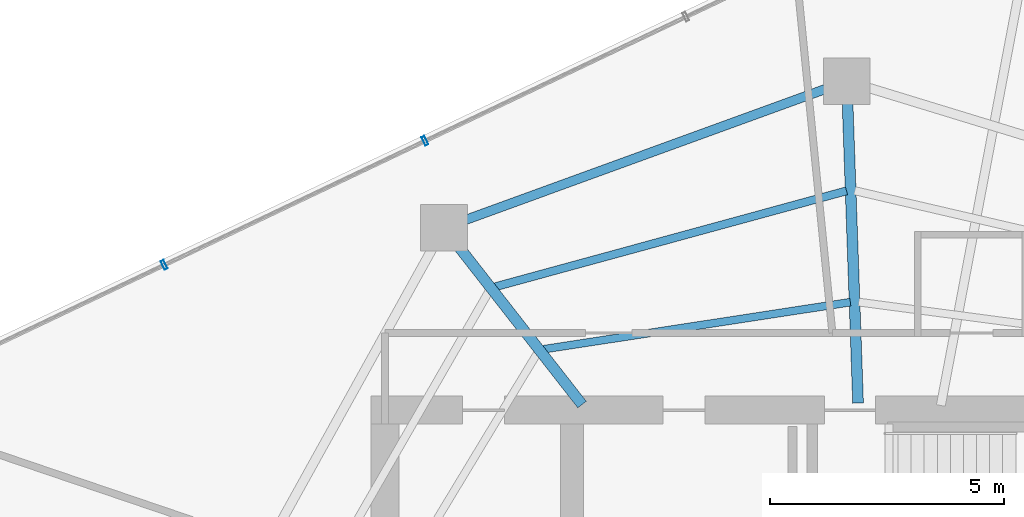
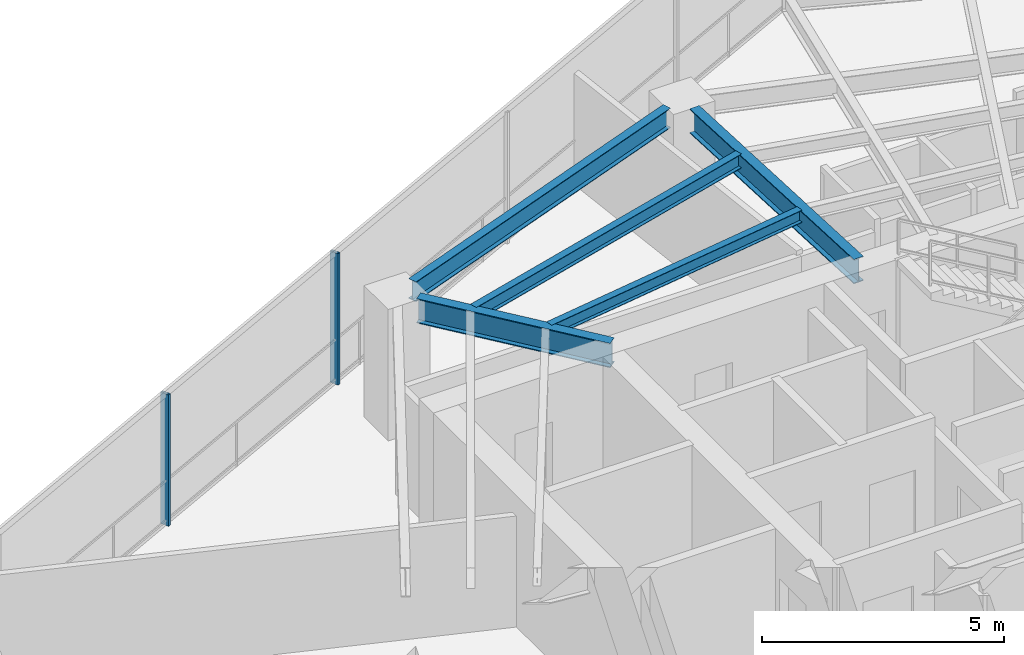
# One storey, part 12 of 21: 5 beams, 2 members, 1 element without a shape of its own.
"""IFC4 building model written with IfcOpenShell, lengths in metres."""

from ifc_helpers import new_model, si_unit, direction, frame, origin, origin_2d, place, context, subcontext, project, spatial, hollow_rectangle, i_section, extrude, material, layer, layer_set, material_profile, profile_set, type_object, element, aggregate, save


model = new_model("IFC4")

# Units and contexts
model_context = context("Model", 3, precision=1e-05, world=origin(), true_north=direction((0.0, 1.0)))
body_context = subcontext(model_context, "Body", "Model", "MODEL_VIEW")
ifc_project = project(units=[si_unit("LENGTHUNIT", "METRE"), si_unit("AREAUNIT", "SQUARE_METRE"), si_unit("VOLUMEUNIT", "CUBIC_METRE"), si_unit("PLANEANGLEUNIT", "RADIAN"), si_unit("MASSUNIT", "GRAM", prefix="KILO")], contexts=[model_context])

# Site, building, storey
site_placement = place(None, origin())
site = spatial("IfcSite", under=ifc_project, at=site_placement, CompositionType="ELEMENT")
building_placement = place(site_placement, origin())
building = spatial("IfcBuilding", under=site, at=building_placement, Name="Qarnah Convention Tower", CompositionType="ELEMENT")
storey_placement = place(building_placement, frame((0.0, 0.0, 161.699951171875)))
storey = spatial("IfcBuildingStorey", under=building, at=storey_placement, Name="L43", CompositionType="ELEMENT", Elevation=161.699951171875)

# Beams
ifc_material_1 = material(Name="Structural steel S355JR", Category="steel")
ifc_material_profile_1 = material_profile(ifc_material_1, i_section(OverallWidth=0.166015625, OverallDepth=0.31201171875, WebThickness=0.007080078125, FlangeThickness=0.010986328125, at=origin_2d()), Name="W310X45")
ifc_profile_set_1 = profile_set([ifc_material_profile_1], Name="Structural steel S355JR")
beam_type_1 = type_object("IfcBeamType", Name="BM-JST-W310", PredefinedType="JOIST", material=ifc_profile_set_1)
beam_1_placement = place(storey_placement, frame((36.758056640625, 36.510009765625, 3.1640625), z_axis=(-0.988429806813, -0.151678993285, 0.0), x_axis=(0.151678993285, -0.988429806813, 0.0)))
element("IfcBeam", 1, at=beam_1_placement, inside=storey, type_object=beam_type_1, Name="L43 joist BM-L43-IJST-03", PredefinedType="JOIST", context=body_context, shape_type="SweptSolid", body=[
    extrude(i_section(OverallWidth=0.166015625, OverallDepth=0.31201171875, WebThickness=0.007080078125, FlangeThickness=0.010986328125, at=origin_2d()), origin(), (0.0, 0.0, 1.0), 6.64599609375),
])
ifc_material_profile_2 = material_profile(ifc_material_1, i_section(OverallWidth=0.172119140625, OverallDepth=0.35595703125, WebThickness=0.007080078125, FlangeThickness=0.011962890625, at=origin_2d()), Name="W360X51")
ifc_profile_set_2 = profile_set([ifc_material_profile_2], Name="Structural steel S355JR")
beam_type_2 = type_object("IfcBeamType", Name="BM-JST-W360", PredefinedType="JOIST", material=ifc_profile_set_2)
beam_2_placement = place(storey_placement, frame((36.676025390625, 38.89306640625, 3.14208984375), z_axis=(-0.964679279523, -0.263427196127, 0.0), x_axis=(0.263427196127, -0.964679279523, 0.0)))
element("IfcBeam", 2, at=beam_2_placement, inside=storey, type_object=beam_type_2, Name="L43 joist BM-L43-SJST-03", PredefinedType="JOIST", context=body_context, shape_type="SweptSolid", body=[
    extrude(i_section(OverallWidth=0.172119140625, OverallDepth=0.35595703125, WebThickness=0.007080078125, FlangeThickness=0.011962890625, at=origin_2d()), origin(), (0.0, 0.0, 1.0), 7.8017578125),
])
ifc_material_profile_3 = material_profile(ifc_material_1, i_section(OverallWidth=0.22998046875, OverallDepth=0.617919921875, WebThickness=0.012939453125, FlangeThickness=0.02197265625, at=origin_2d()), Name="W610X140")
ifc_profile_set_3 = profile_set([ifc_material_profile_3], Name="Structural steel S355JR")
beam_type_3 = type_object("IfcBeamType", Name="BM-RAD-W610A", PredefinedType="BEAM", material=ifc_profile_set_3)
beam_3_placement = place(storey_placement, frame((36.923095703125, 34.35009765625, 3.010986328125), z_axis=(-0.034938098977, 0.999389478252, 0.0), x_axis=(-0.999389478252, -0.034938098977, 0.0)))
element("IfcBeam", 3, at=beam_3_placement, inside=storey, type_object=beam_type_3, Name="L43 beam BM-L43-RAD-03", PredefinedType="BEAM", context=body_context, shape_type="SweptSolid", body=[
    extrude(i_section(OverallWidth=0.22998046875, OverallDepth=0.617919921875, WebThickness=0.012939453125, FlangeThickness=0.02197265625, at=origin_2d()), origin(), (0.0, 0.0, 1.0), 6.414794921875),
])
beam_4_placement = place(storey_placement, frame((31.013916015625, 34.318115234375, 3.010986328125), z_axis=(-0.615636368947, 0.788030368215, 0.0), x_axis=(-0.788030368215, -0.615636368947, 0.0)))
element("IfcBeam", 4, at=beam_4_placement, inside=storey, type_object=beam_type_3, Name="L43 beam BM-L43-RAD-04", PredefinedType="BEAM", context=body_context, shape_type="SweptSolid", body=[
    extrude(i_section(OverallWidth=0.22998046875, OverallDepth=0.617919921875, WebThickness=0.012939453125, FlangeThickness=0.02197265625, at=origin_2d()), origin(), (0.0, 0.0, 1.0), 4.322265625),
])
ifc_material_profile_4 = material_profile(ifc_material_1, i_section(OverallWidth=0.199951171875, OverallDepth=0.5, WebThickness=0.010009765625, FlangeThickness=0.01611328125, at=origin_2d()), Name="IPE500")
ifc_profile_set_4 = profile_set([ifc_material_profile_4], Name="Structural steel S355JR")
beam_type_4 = type_object("IfcBeamType", Name="BM-SPN-IPE500", PredefinedType="SPANDREL", material=ifc_profile_set_4)
beam_5_placement = place(storey_placement, frame((36.221923828125, 41.072998046875, 3.070068359375), z_axis=(-0.939745596534, -0.341874558567, 0.0), x_axis=(0.341874558567, -0.939745596534, 0.0)))
element("IfcBeam", 5, at=beam_5_placement, inside=storey, type_object=beam_type_4, Name="L43 spandrel BM-L43-SPN-03", PredefinedType="SPANDREL", context=body_context, shape_type="SweptSolid", body=[
    extrude(i_section(OverallWidth=0.199951171875, OverallDepth=0.5, WebThickness=0.010009765625, FlangeThickness=0.01611328125, at=origin_2d()), origin(), (0.0, 0.0, 1.0), 8.19873046875),
])

# Curtain wall, members
ifc_material_2 = material(Name="Tempered Low-E dark glass", Category="glass")
ifc_layer = layer(ifc_material_2, 0.172119140625)
ifc_layer_set = layer_set([ifc_layer], Name="Tempered Low-E dark glass")
curtain_wall_type = type_object("IfcCurtainWallType", Name="CWS-03", PredefinedType="NOTDEFINED", material=ifc_layer_set)
curtain_wall_placement = place(storey_placement, origin())
curtain_wall = element("IfcCurtainWall", 6, at=curtain_wall_placement, inside=storey, type_object=curtain_wall_type, Name="L43 unitised curtain wall CW-L43-F2", PredefinedType="NOTDEFINED")
ifc_material_3 = material(Name="Black anodised aluminium", Category="aluminium")
ifc_material_profile_5 = material_profile(ifc_material_3, hollow_rectangle(XDim=0.070068359375, YDim=0.199951171875, WallThickness=0.0048828125, at=origin_2d()), Name="MUL-70X200")
ifc_profile_set_5 = profile_set([ifc_material_profile_5], Name="Black anodised aluminium")
member_type = type_object("IfcMemberType", Name="MUL-T3", PredefinedType="MULLION", material=ifc_profile_set_5)
member_1_placement = place(storey_placement, frame((22.065673828125, 37.307861328125, 0.0), z_axis=(0.0, 0.0, 1.0), x_axis=(0.903049301715, 0.429536911885, 0.0)))
member_1 = element("IfcMember", 7, at=member_1_placement, type_object=member_type, Name="CW-L43-F2 mullion 2", PredefinedType="MULLION", context=body_context, shape_type="SweptSolid", body=[
    extrude(hollow_rectangle(XDim=0.070068359375, YDim=0.199951171875, WallThickness=0.0048828125, at=origin_2d()), origin(), (0.0, 0.0, 1.0), 3.320068359375),
])
member_2_placement = place(storey_placement, frame((27.651123046875, 39.964599609375, 0.0), z_axis=(0.0, 0.0, 1.0), x_axis=(0.903049301715, 0.429536911885, 0.0)))
member_2 = element("IfcMember", 8, at=member_2_placement, type_object=member_type, Name="CW-L43-F2 mullion 3", PredefinedType="MULLION", context=body_context, shape_type="SweptSolid", body=[
    extrude(hollow_rectangle(XDim=0.070068359375, YDim=0.199951171875, WallThickness=0.0048828125, at=origin_2d()), origin(), (0.0, 0.0, 1.0), 3.320068359375),
])
aggregate(curtain_wall, [member_1, member_2])

save(model, "model.ifc")
